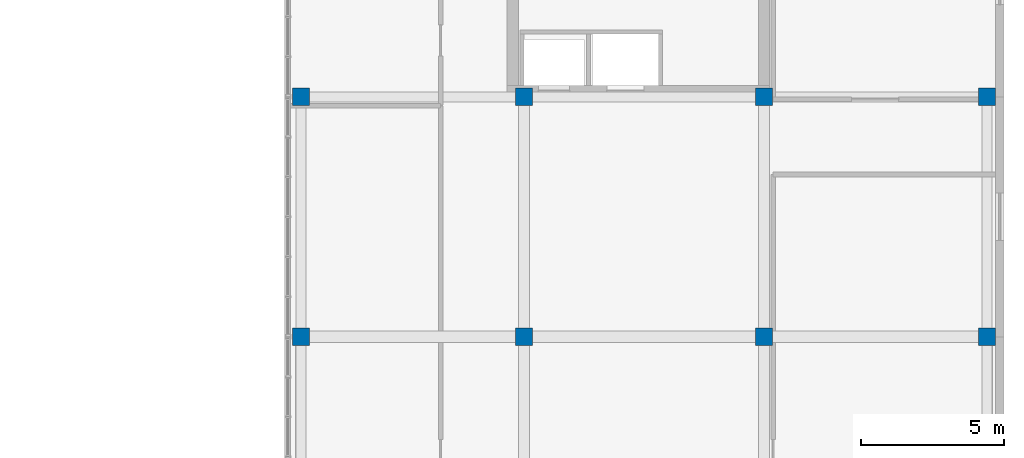
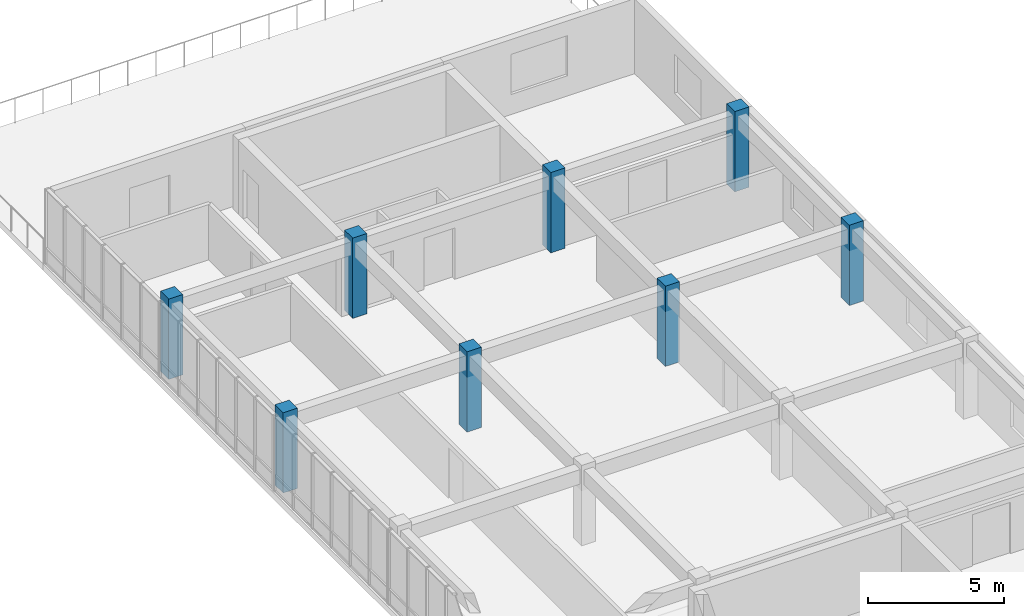
# One storey, part 9 of 144: 8 columns.
"""IFC4 building model written with IfcOpenShell, lengths in metres."""

from ifc_helpers import new_model, si_unit, direction, frame, origin, origin_2d, place, context, subcontext, project, spatial, rectangle, extrude, material, material_profile, profile_set, type_object, element, save


model = new_model("IFC4")

# Units and contexts
model_context = context("Model", 3, precision=1e-05, world=origin(), true_north=direction((0.0, 1.0)))
body_context = subcontext(model_context, "Body", "Model", "MODEL_VIEW")
ifc_project = project(units=[si_unit("LENGTHUNIT", "METRE"), si_unit("AREAUNIT", "SQUARE_METRE"), si_unit("VOLUMEUNIT", "CUBIC_METRE"), si_unit("PLANEANGLEUNIT", "RADIAN"), si_unit("MASSUNIT", "GRAM", prefix="KILO")], contexts=[model_context])

# Site, building, storey
site_placement = place(None, origin())
site = spatial("IfcSite", under=ifc_project, at=site_placement, CompositionType="ELEMENT")
building_placement = place(site_placement, origin())
building = spatial("IfcBuilding", under=site, at=building_placement, Name="Zayran Congress Hotel", CompositionType="ELEMENT")
storey_placement = place(building_placement, frame((0.0, 0.0, 19.199951171875)))
storey = spatial("IfcBuildingStorey", under=building, at=storey_placement, Name="L04", CompositionType="ELEMENT", Elevation=19.199951171875)

# Columns
ifc_material = material(Name="Concrete C40/50", Category="concrete")
ifc_material_profile = material_profile(ifc_material, rectangle(XDim=0.60009765625, YDim=0.60009765625, at=origin_2d()), Name="RC 600x600")
ifc_profile_set = profile_set([ifc_material_profile], Name="Concrete C40/50")
column_type = type_object("IfcColumnType", Name="TP-CL-04", PredefinedType="COLUMN", material=ifc_profile_set)
for number, where, z_axis, x_axis, name in (
    (1, (109.800048828125, 76.0, 0.0), (0.0, 0.0, 1.0), (1.0, 0.0, 0.0), "COL-V4-L04-0863"),
    (2, (109.800048828125, 84.39990234375, 0.0), (0.0, 0.0, 1.0), (1.0, 0.0, 0.0), "COL-V4-L04-0864"),
    (3, (117.60009765625, 76.0, 0.0), (0.0, 0.0, 1.0), (1.0, 0.0, 0.0), "COL-V4-L04-0867"),
    (4, (117.60009765625, 84.39990234375, 0.0), (0.0, 0.0, 1.0), (1.0, 0.0, 0.0), "COL-V4-L04-0868"),
    (5, (126.0, 76.0, 0.0), (0.0, 0.0, 1.0), (1.0, 0.0, 0.0), "COL-V4-L04-0871"),
    (6, (126.0, 84.39990234375, 0.0), (0.0, 0.0, 1.0), (1.0, 0.0, 0.0), "COL-V4-L04-0872"),
    (7, (133.800048828125, 76.0, 0.0), (0.0, 0.0, 1.0), (1.0, 0.0, 0.0), "COL-V4-L04-0875"),
    (8, (133.800048828125, 84.39990234375, 0.0), (0.0, 0.0, 1.0), (1.0, 0.0, 0.0), "COL-V4-L04-0876"),
):
    element("IfcColumn", number, at=place(storey_placement, frame(where, z_axis=z_axis, x_axis=x_axis)), inside=storey, type_object=column_type, Name=name, PredefinedType="COLUMN", context=body_context, shape_type="SweptSolid", body=[
        extrude(rectangle(XDim=0.60009765625, YDim=0.60009765625, at=origin_2d()), origin(), (0.0, 0.0, 1.0), 3.60009765625),
    ])

save(model, "model.ifc")
